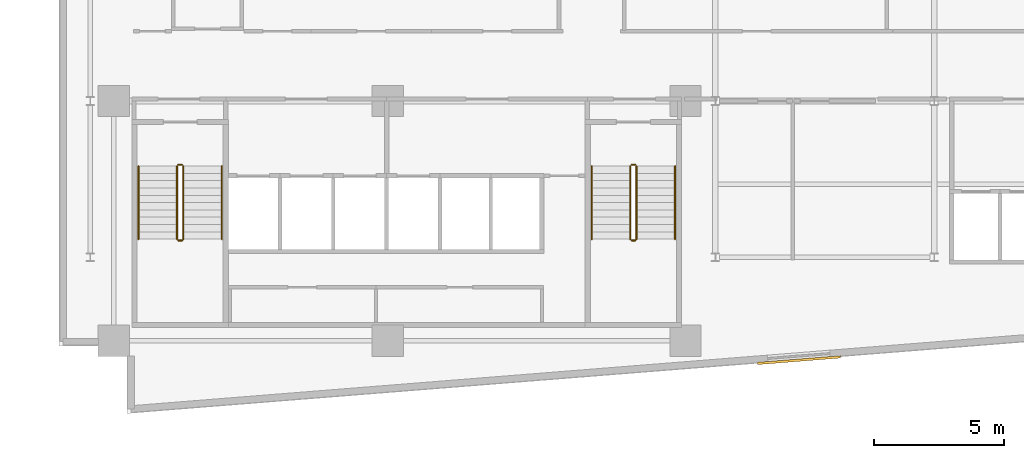
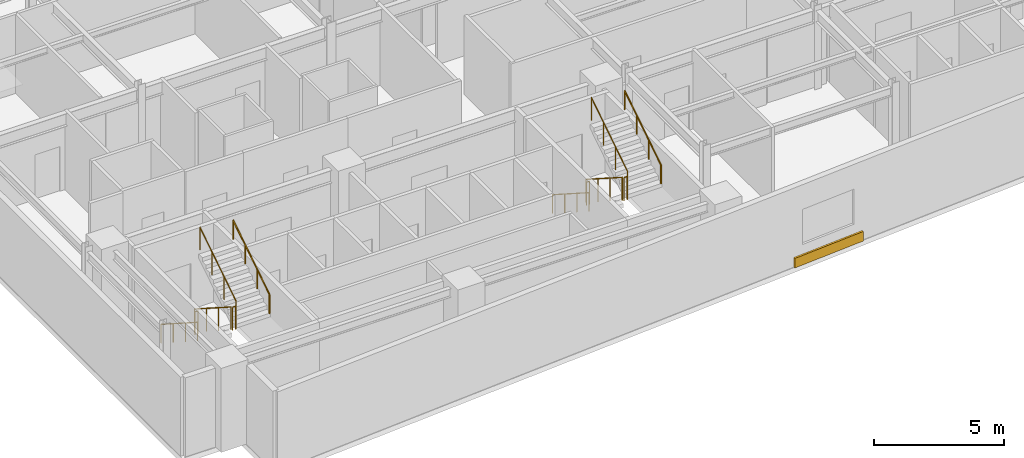
# One storey, part 15 of 19: 12 railings, 1 covering.
"""IFC4 building model written with IfcOpenShell, lengths in metres."""

from ifc_helpers import new_model, si_unit, direction, frame, origin, origin_2d, place, context, subcontext, project, spatial, rectangle, circle, extrude, material, layer, layer_set, type_object, element, save


model = new_model("IFC4")

# Units and contexts
model_context = context("Model", 3, precision=1e-05, world=origin(), true_north=direction((0.0, 1.0)))
body_context = subcontext(model_context, "Body", "Model", "MODEL_VIEW")
ifc_project = project(units=[si_unit("LENGTHUNIT", "METRE"), si_unit("AREAUNIT", "SQUARE_METRE"), si_unit("VOLUMEUNIT", "CUBIC_METRE"), si_unit("PLANEANGLEUNIT", "RADIAN"), si_unit("MASSUNIT", "GRAM", prefix="KILO")], contexts=[model_context])

# Site, building, storey
site_placement = place(None, origin())
site = spatial("IfcSite", under=ifc_project, at=site_placement, CompositionType="ELEMENT")
building_placement = place(site_placement, origin())
building = spatial("IfcBuilding", under=site, at=building_placement, Name="Varnakote Quay Hospital", CompositionType="ELEMENT")
storey_placement = place(building_placement, frame((0.0, 0.0, 162.60009765625)))
storey = spatial("IfcBuildingStorey", under=building, at=storey_placement, Name="L40", CompositionType="ELEMENT", Elevation=162.60009765625)

# Covering
ifc_material_1 = material(Name="Kiln-fired red brick architectural cladding", Category="masonry")
ifc_layer = layer(ifc_material_1, 0.090087890625)
ifc_layer_set = layer_set([ifc_layer], Name="Kiln-fired red brick architectural cladding")
covering_type = type_object("IfcCoveringType", Name="COV-BRICK-CLAD-90", PredefinedType="CLADDING", material=ifc_layer_set)
covering_placement = place(storey_placement, frame((28.41259765625, 2.051025390625, 0.0), z_axis=(0.0, 0.0, 1.0), x_axis=(0.996862316013, 0.079155056145, 0.0)))
element("IfcCovering", 1, at=covering_placement, inside=storey, type_object=covering_type, Name="L40 Kiln-Brick Precast Spandrel Cladding Band", PredefinedType="CLADDING", context=body_context, shape_type="SweptSolid", body=[
    extrude(rectangle(XDim=3.199951171875, YDim=0.090087890625, at=origin_2d()), origin(), (0.0, 0.0, 1.0), 0.449951171875),
])

# Railings
ifc_material_2 = material(Name="Brushed stainless steel balustrade", Category="steel")
railing_type_1 = type_object("IfcRailingType", Name="RLG-STAIR-GUARD-1150", PredefinedType="GUARDRAIL", material=ifc_material_2)
railing_1_placement = place(storey_placement, frame((4.530029296875, 9.5, 0.179443359375)))
element("IfcRailing", 2, at=railing_1_placement, inside=storey, type_object=railing_type_1, Name="L40 ST-01 stair guard 1", PredefinedType="GUARDRAIL", context=body_context, shape_type="SweptSolid", body=[
    extrude(circle(Radius=0.02392578125, at=origin_2d()), frame((0.0, 0.0, 1.076171875), z_axis=(0.0, -0.841809871826, 0.539774156196), x_axis=(1.0, 0.0, 0.0)), (0.0, 0.0, 1.0), 3.326171875),
    extrude(circle(Radius=0.02099609375, at=origin_2d()), origin(), (0.0, 0.0, 1.0), 1.052001953125),
    extrude(circle(Radius=0.02099609375, at=origin_2d()), frame((0.0, -0.933349609375, 0.598388671875)), (0.0, 0.0, 1.0), 1.052001953125),
    extrude(circle(Radius=0.02099609375, at=origin_2d()), frame((0.0, -1.86669921875, 1.197021484375)), (0.0, 0.0, 1.0), 1.052001953125),
    extrude(circle(Radius=0.02099609375, at=origin_2d()), frame((0.0, -2.800048828125, 1.79541015625)), (0.0, 0.0, 1.0), 1.052001953125),
])
railing_2_placement = place(storey_placement, frame((4.580078125, 6.64990234375, 1.974853515625)))
element("IfcRailing", 3, at=railing_2_placement, inside=storey, type_object=railing_type_1, Name="L40 ST-01 stair guard 2", PredefinedType="GUARDRAIL", context=body_context, shape_type="SweptSolid", body=[
    extrude(circle(Radius=0.02392578125, at=origin_2d()), frame((0.0, 0.0, 1.076171875), z_axis=(1.0, 0.0, 0.0), x_axis=(0.0, 1.0, 0.0)), (0.0, 0.0, 1.0), 0.139892578125),
    extrude(circle(Radius=0.02099609375, at=origin_2d()), origin(), (0.0, 0.0, 1.0), 1.052001953125),
    extrude(circle(Radius=0.02099609375, at=origin_2d()), frame((0.139892578125, 0.0, 0.0)), (0.0, 0.0, 1.0), 1.052001953125),
])
railing_3_placement = place(storey_placement, frame((4.77001953125, 6.699951171875, 2.154541015625)))
element("IfcRailing", 4, at=railing_3_placement, inside=storey, type_object=railing_type_1, Name="L40 ST-01 stair guard 3", PredefinedType="GUARDRAIL", context=body_context, shape_type="SweptSolid", body=[
    extrude(circle(Radius=0.02392578125, at=origin_2d()), frame((0.0, 0.0, 1.076171875), z_axis=(0.0, 0.841809871826, 0.539774156196), x_axis=(-1.0, 0.0, 0.0)), (0.0, 0.0, 1.0), 3.326171875),
    extrude(circle(Radius=0.02099609375, at=origin_2d()), origin(), (0.0, 0.0, 1.0), 1.052001953125),
    extrude(circle(Radius=0.02099609375, at=origin_2d()), frame((0.0, 0.933349609375, 0.598388671875)), (0.0, 0.0, 1.0), 1.052001953125),
    extrude(circle(Radius=0.02099609375, at=origin_2d()), frame((0.0, 1.86669921875, 1.197021484375)), (0.0, 0.0, 1.0), 1.052001953125),
    extrude(circle(Radius=0.02099609375, at=origin_2d()), frame((0.0, 2.800048828125, 1.79541015625)), (0.0, 0.0, 1.0), 1.052001953125),
])
railing_4_placement = place(storey_placement, frame((4.580078125, 9.550048828125, 0.0)))
element("IfcRailing", 5, at=railing_4_placement, inside=storey, type_object=railing_type_1, Name="L40 ST-01 stair guard 4", PredefinedType="GUARDRAIL", context=body_context, shape_type="SweptSolid", body=[
    extrude(circle(Radius=0.02392578125, at=origin_2d()), frame((0.0, 0.0, 1.076171875), z_axis=(1.0, 0.0, 0.0), x_axis=(0.0, 1.0, 0.0)), (0.0, 0.0, 1.0), 0.139892578125),
    extrude(circle(Radius=0.02099609375, at=origin_2d()), origin(), (0.0, 0.0, 1.0), 1.052001953125),
    extrude(circle(Radius=0.02099609375, at=origin_2d()), frame((0.139892578125, 0.0, 0.0)), (0.0, 0.0, 1.0), 1.052001953125),
])
railing_5_placement = place(storey_placement, frame((21.929931640625, 9.5, 0.179443359375)))
element("IfcRailing", 6, at=railing_5_placement, inside=storey, type_object=railing_type_1, Name="L40 ST-02 stair guard 1", PredefinedType="GUARDRAIL", context=body_context, shape_type="SweptSolid", body=[
    extrude(circle(Radius=0.02392578125, at=origin_2d()), frame((0.0, 0.0, 1.076171875), z_axis=(0.0, -0.841809871826, 0.539774156196), x_axis=(1.0, 0.0, 0.0)), (0.0, 0.0, 1.0), 3.326171875),
    extrude(circle(Radius=0.02099609375, at=origin_2d()), origin(), (0.0, 0.0, 1.0), 1.052001953125),
    extrude(circle(Radius=0.02099609375, at=origin_2d()), frame((0.0, -0.933349609375, 0.598388671875)), (0.0, 0.0, 1.0), 1.052001953125),
    extrude(circle(Radius=0.02099609375, at=origin_2d()), frame((0.0, -1.86669921875, 1.197021484375)), (0.0, 0.0, 1.0), 1.052001953125),
    extrude(circle(Radius=0.02099609375, at=origin_2d()), frame((0.0, -2.800048828125, 1.79541015625)), (0.0, 0.0, 1.0), 1.052001953125),
])
railing_6_placement = place(storey_placement, frame((21.97998046875, 6.64990234375, 1.974853515625)))
element("IfcRailing", 7, at=railing_6_placement, inside=storey, type_object=railing_type_1, Name="L40 ST-02 stair guard 2", PredefinedType="GUARDRAIL", context=body_context, shape_type="SweptSolid", body=[
    extrude(circle(Radius=0.02392578125, at=origin_2d()), frame((0.0, 0.0, 1.076171875), z_axis=(1.0, 0.0, 0.0), x_axis=(0.0, 1.0, 0.0)), (0.0, 0.0, 1.0), 0.14013671875),
    extrude(circle(Radius=0.02099609375, at=origin_2d()), origin(), (0.0, 0.0, 1.0), 1.052001953125),
    extrude(circle(Radius=0.02099609375, at=origin_2d()), frame((0.14013671875, 0.0, 0.0)), (0.0, 0.0, 1.0), 1.052001953125),
])
railing_7_placement = place(storey_placement, frame((22.169921875, 6.699951171875, 2.154541015625)))
element("IfcRailing", 8, at=railing_7_placement, inside=storey, type_object=railing_type_1, Name="L40 ST-02 stair guard 3", PredefinedType="GUARDRAIL", context=body_context, shape_type="SweptSolid", body=[
    extrude(circle(Radius=0.02392578125, at=origin_2d()), frame((0.0, 0.0, 1.076171875), z_axis=(0.0, 0.841809871826, 0.539774156196), x_axis=(-1.0, 0.0, 0.0)), (0.0, 0.0, 1.0), 3.326171875),
    extrude(circle(Radius=0.02099609375, at=origin_2d()), origin(), (0.0, 0.0, 1.0), 1.052001953125),
    extrude(circle(Radius=0.02099609375, at=origin_2d()), frame((0.0, 0.933349609375, 0.598388671875)), (0.0, 0.0, 1.0), 1.052001953125),
    extrude(circle(Radius=0.02099609375, at=origin_2d()), frame((0.0, 1.86669921875, 1.197021484375)), (0.0, 0.0, 1.0), 1.052001953125),
    extrude(circle(Radius=0.02099609375, at=origin_2d()), frame((0.0, 2.800048828125, 1.79541015625)), (0.0, 0.0, 1.0), 1.052001953125),
])
railing_8_placement = place(storey_placement, frame((21.97998046875, 9.550048828125, 0.0)))
element("IfcRailing", 9, at=railing_8_placement, inside=storey, type_object=railing_type_1, Name="L40 ST-02 stair guard 4", PredefinedType="GUARDRAIL", context=body_context, shape_type="SweptSolid", body=[
    extrude(circle(Radius=0.02392578125, at=origin_2d()), frame((0.0, 0.0, 1.076171875), z_axis=(1.0, 0.0, 0.0), x_axis=(0.0, 1.0, 0.0)), (0.0, 0.0, 1.0), 0.14013671875),
    extrude(circle(Radius=0.02099609375, at=origin_2d()), origin(), (0.0, 0.0, 1.0), 1.052001953125),
    extrude(circle(Radius=0.02099609375, at=origin_2d()), frame((0.14013671875, 0.0, 0.0)), (0.0, 0.0, 1.0), 1.052001953125),
])
ifc_material_3 = material(Name="Brushed stainless steel handrail", Category="steel")
railing_type_2 = type_object("IfcRailingType", Name="RLG-STAIR-HND-920", PredefinedType="HANDRAIL", material=ifc_material_3)
railing_9_placement = place(storey_placement, frame((3.050048828125, 9.5, 0.179443359375)))
element("IfcRailing", 10, at=railing_9_placement, inside=storey, type_object=railing_type_2, Name="L40 ST-01 stair handrail 1", PredefinedType="HANDRAIL", context=body_context, shape_type="SweptSolid", body=[
    extrude(circle(Radius=0.02392578125, at=origin_2d()), frame((0.0, 0.0, 0.8759765625), z_axis=(0.0, -0.841809871826, 0.539774156196), x_axis=(1.0, 0.0, 0.0)), (0.0, 0.0, 1.0), 3.326171875),
    extrude(circle(Radius=0.02099609375, at=origin_2d()), origin(), (0.0, 0.0, 1.0), 0.851806640625),
    extrude(circle(Radius=0.02099609375, at=origin_2d()), frame((0.0, -0.933349609375, 0.598388671875)), (0.0, 0.0, 1.0), 0.851806640625),
    extrude(circle(Radius=0.02099609375, at=origin_2d()), frame((0.0, -1.86669921875, 1.197021484375)), (0.0, 0.0, 1.0), 0.851806640625),
    extrude(circle(Radius=0.02099609375, at=origin_2d()), frame((0.0, -2.800048828125, 1.79541015625)), (0.0, 0.0, 1.0), 0.851806640625),
])
railing_10_placement = place(storey_placement, frame((6.25, 6.699951171875, 2.154541015625)))
element("IfcRailing", 11, at=railing_10_placement, inside=storey, type_object=railing_type_2, Name="L40 ST-01 stair handrail 2", PredefinedType="HANDRAIL", context=body_context, shape_type="SweptSolid", body=[
    extrude(circle(Radius=0.02392578125, at=origin_2d()), frame((0.0, 0.0, 0.8759765625), z_axis=(0.0, 0.841809871826, 0.539774156196), x_axis=(-1.0, 0.0, 0.0)), (0.0, 0.0, 1.0), 3.326171875),
    extrude(circle(Radius=0.02099609375, at=origin_2d()), origin(), (0.0, 0.0, 1.0), 0.851806640625),
    extrude(circle(Radius=0.02099609375, at=origin_2d()), frame((0.0, 0.933349609375, 0.598388671875)), (0.0, 0.0, 1.0), 0.851806640625),
    extrude(circle(Radius=0.02099609375, at=origin_2d()), frame((0.0, 1.86669921875, 1.197021484375)), (0.0, 0.0, 1.0), 0.851806640625),
    extrude(circle(Radius=0.02099609375, at=origin_2d()), frame((0.0, 2.800048828125, 1.79541015625)), (0.0, 0.0, 1.0), 0.851806640625),
])
railing_11_placement = place(storey_placement, frame((20.449951171875, 9.5, 0.179443359375)))
element("IfcRailing", 12, at=railing_11_placement, inside=storey, type_object=railing_type_2, Name="L40 ST-02 stair handrail 1", PredefinedType="HANDRAIL", context=body_context, shape_type="SweptSolid", body=[
    extrude(circle(Radius=0.02392578125, at=origin_2d()), frame((0.0, 0.0, 0.8759765625), z_axis=(0.0, -0.841809871826, 0.539774156196), x_axis=(1.0, 0.0, 0.0)), (0.0, 0.0, 1.0), 3.326171875),
    extrude(circle(Radius=0.02099609375, at=origin_2d()), origin(), (0.0, 0.0, 1.0), 0.851806640625),
    extrude(circle(Radius=0.02099609375, at=origin_2d()), frame((0.0, -0.933349609375, 0.598388671875)), (0.0, 0.0, 1.0), 0.851806640625),
    extrude(circle(Radius=0.02099609375, at=origin_2d()), frame((0.0, -1.86669921875, 1.197021484375)), (0.0, 0.0, 1.0), 0.851806640625),
    extrude(circle(Radius=0.02099609375, at=origin_2d()), frame((0.0, -2.800048828125, 1.79541015625)), (0.0, 0.0, 1.0), 0.851806640625),
])
railing_12_placement = place(storey_placement, frame((23.64990234375, 6.699951171875, 2.154541015625)))
element("IfcRailing", 13, at=railing_12_placement, inside=storey, type_object=railing_type_2, Name="L40 ST-02 stair handrail 2", PredefinedType="HANDRAIL", context=body_context, shape_type="SweptSolid", body=[
    extrude(circle(Radius=0.02392578125, at=origin_2d()), frame((0.0, 0.0, 0.8759765625), z_axis=(0.0, 0.841809871826, 0.539774156196), x_axis=(-1.0, 0.0, 0.0)), (0.0, 0.0, 1.0), 3.326171875),
    extrude(circle(Radius=0.02099609375, at=origin_2d()), origin(), (0.0, 0.0, 1.0), 0.851806640625),
    extrude(circle(Radius=0.02099609375, at=origin_2d()), frame((0.0, 0.933349609375, 0.598388671875)), (0.0, 0.0, 1.0), 0.851806640625),
    extrude(circle(Radius=0.02099609375, at=origin_2d()), frame((0.0, 1.86669921875, 1.197021484375)), (0.0, 0.0, 1.0), 0.851806640625),
    extrude(circle(Radius=0.02099609375, at=origin_2d()), frame((0.0, 2.800048828125, 1.79541015625)), (0.0, 0.0, 1.0), 0.851806640625),
])

save(model, "model.ifc")
